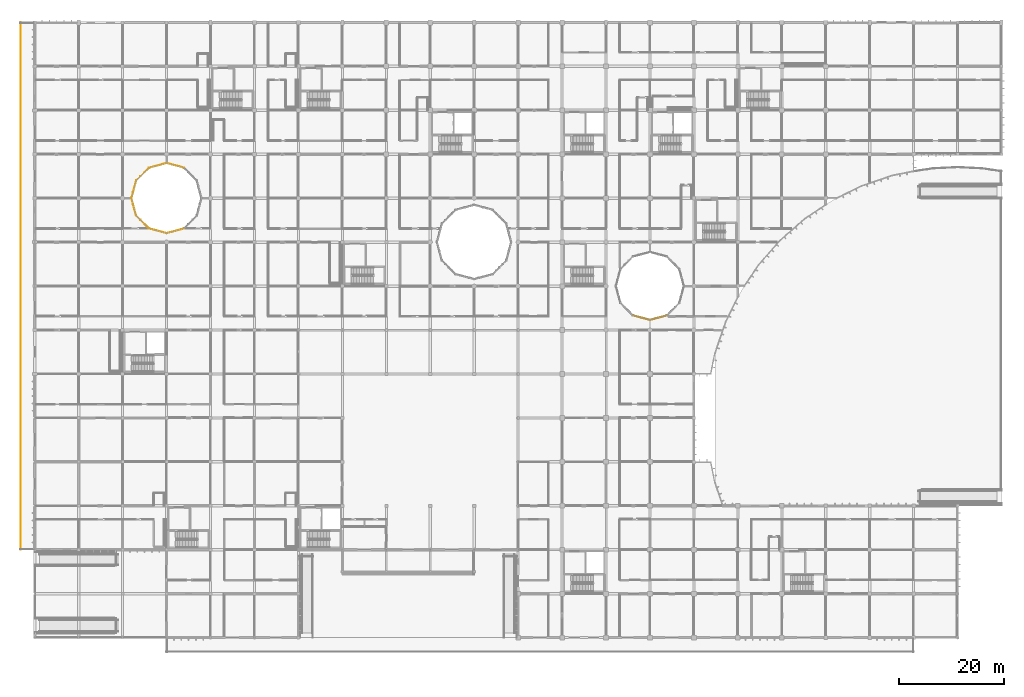
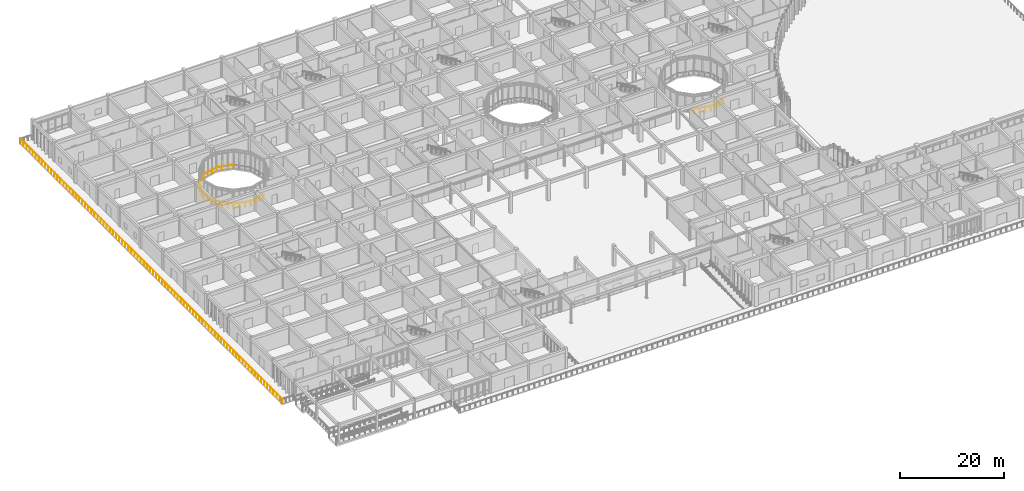
# One storey, part 122 of 138: 11 railings.
"""IFC4 building model written with IfcOpenShell, lengths in metres."""

from ifc_helpers import new_model, si_unit, direction, frame, origin, origin_2d, place, context, subcontext, project, spatial, circle, extrude, material, type_object, element, save


model = new_model("IFC4")

# Units and contexts
model_context = context("Model", 3, precision=1e-05, world=origin(), true_north=direction((0.0, 1.0)))
body_context = subcontext(model_context, "Body", "Model", "MODEL_VIEW")
ifc_project = project(units=[si_unit("LENGTHUNIT", "METRE"), si_unit("AREAUNIT", "SQUARE_METRE"), si_unit("VOLUMEUNIT", "CUBIC_METRE"), si_unit("PLANEANGLEUNIT", "RADIAN"), si_unit("MASSUNIT", "GRAM", prefix="KILO")], contexts=[model_context])

# Site, building, storey
site_placement = place(None, origin())
site = spatial("IfcSite", under=ifc_project, at=site_placement, CompositionType="ELEMENT")
building_placement = place(site_placement, origin())
building = spatial("IfcBuilding", under=site, at=building_placement, Name="Bramfleet General Hospital", CompositionType="ELEMENT")
storey_placement = place(building_placement, origin())
storey = spatial("IfcBuildingStorey", under=building, at=storey_placement, Name="L00", CompositionType="ELEMENT", Elevation=0.0)

# Railings
ifc_material = material(Name="Stainless steel 1.4401 safety balustrade", Category="steel")
railing_type = type_object("IfcRailingType", Name="RAIL-EXT-GUARD", PredefinedType="GUARDRAIL", material=ifc_material)
railing_1_placement = place(storey_placement, frame((18.506103515625, 83.964599609375, 0.0)))
element("IfcRailing", 1, at=railing_1_placement, inside=storey, type_object=railing_type, Name="L00 Safety Guard Rail 1", PredefinedType="GUARDRAIL", context=body_context, shape_type="SweptSolid", body=[
    extrude(circle(Radius=0.02392578125, at=origin_2d()), frame((0.0, 0.0, 1.076171875), z_axis=(0.258772014909, -0.965938426764, 0.0), x_axis=(0.965938426764, 0.258772014909, 0.0)), (0.0, 0.0, 1.0), 3.396484375),
    extrude(circle(Radius=0.02099609375, at=origin_2d()), origin(), (0.0, 0.0, 1.0), 1.052001953125),
    extrude(circle(Radius=0.02099609375, at=origin_2d()), frame((0.29296875, -1.093505859375, 0.0)), (0.0, 0.0, 1.0), 1.052001953125),
    extrude(circle(Radius=0.02099609375, at=origin_2d()), frame((0.5859375, -2.187255859375, 0.0)), (0.0, 0.0, 1.0), 1.052001953125),
    extrude(circle(Radius=0.02099609375, at=origin_2d()), frame((0.87890625, -3.28076171875, 0.0)), (0.0, 0.0, 1.0), 1.052001953125),
])
railing_2_placement = place(storey_placement, frame((19.420654296875, 80.622314453125, 0.0)))
element("IfcRailing", 2, at=railing_2_placement, inside=storey, type_object=railing_type, Name="L00 Safety Guard Rail 2", PredefinedType="GUARDRAIL", context=body_context, shape_type="SweptSolid", body=[
    extrude(circle(Radius=0.02392578125, at=origin_2d()), frame((0.0, 0.0, 1.076171875), z_axis=(0.707106781187, -0.707106781187, 0.0), x_axis=(0.707106781187, 0.707106781187, 0.0)), (0.0, 0.0, 1.0), 3.396484375),
    extrude(circle(Radius=0.02099609375, at=origin_2d()), origin(), (0.0, 0.0, 1.0), 1.052001953125),
    extrude(circle(Radius=0.02099609375, at=origin_2d()), frame((0.800537109375, -0.800537109375, 0.0)), (0.0, 0.0, 1.0), 1.052001953125),
    extrude(circle(Radius=0.02099609375, at=origin_2d()), frame((1.60107421875, -1.60107421875, 0.0)), (0.0, 0.0, 1.0), 1.052001953125),
    extrude(circle(Radius=0.02099609375, at=origin_2d()), frame((2.401611328125, -2.401611328125, 0.0)), (0.0, 0.0, 1.0), 1.052001953125),
])
railing_3_placement = place(storey_placement, frame((21.8837890625, 78.18505859375, 0.0)))
element("IfcRailing", 3, at=railing_3_placement, inside=storey, type_object=railing_type, Name="L00 Safety Guard Rail 3", PredefinedType="GUARDRAIL", context=body_context, shape_type="SweptSolid", body=[
    extrude(circle(Radius=0.02392578125, at=origin_2d()), frame((0.0, 0.0, 1.076171875), z_axis=(0.965920457522, -0.258839080781, 0.0), x_axis=(0.258839080781, 0.965920457522, 0.0)), (0.0, 0.0, 1.0), 3.396484375),
    extrude(circle(Radius=0.02099609375, at=origin_2d()), origin(), (0.0, 0.0, 1.0), 1.052001953125),
    extrude(circle(Radius=0.02099609375, at=origin_2d()), frame((1.093505859375, -0.29296875, 0.0)), (0.0, 0.0, 1.0), 1.052001953125),
    extrude(circle(Radius=0.02099609375, at=origin_2d()), frame((2.187255859375, -0.586181640625, 0.0)), (0.0, 0.0, 1.0), 1.052001953125),
    extrude(circle(Radius=0.02099609375, at=origin_2d()), frame((3.28076171875, -0.879150390625, 0.0)), (0.0, 0.0, 1.0), 1.052001953125),
])
railing_4_placement = place(storey_placement, frame((25.235595703125, 77.305908203125, 0.0)))
element("IfcRailing", 4, at=railing_4_placement, inside=storey, type_object=railing_type, Name="L00 Safety Guard Rail 4", PredefinedType="GUARDRAIL", context=body_context, shape_type="SweptSolid", body=[
    extrude(circle(Radius=0.02392578125, at=origin_2d()), frame((0.0, 0.0, 1.076171875), z_axis=(0.965915641243, 0.25885705322, 0.0), x_axis=(-0.25885705322, 0.965915641243, 0.0)), (0.0, 0.0, 1.0), 3.396240234375),
    extrude(circle(Radius=0.02099609375, at=origin_2d()), origin(), (0.0, 0.0, 1.0), 1.052001953125),
    extrude(circle(Radius=0.02099609375, at=origin_2d()), frame((1.093505859375, 0.29296875, 0.0)), (0.0, 0.0, 1.0), 1.052001953125),
    extrude(circle(Radius=0.02099609375, at=origin_2d()), frame((2.18701171875, 0.586181640625, 0.0)), (0.0, 0.0, 1.0), 1.052001953125),
    extrude(circle(Radius=0.02099609375, at=origin_2d()), frame((3.280517578125, 0.879150390625, 0.0)), (0.0, 0.0, 1.0), 1.052001953125),
])
railing_5_placement = place(storey_placement, frame((28.51611328125, 89.81494140625, 0.0)))
element("IfcRailing", 5, at=railing_5_placement, inside=storey, type_object=railing_type, Name="L00 Safety Guard Rail 9", PredefinedType="GUARDRAIL", context=body_context, shape_type="SweptSolid", body=[
    extrude(circle(Radius=0.02392578125, at=origin_2d()), frame((0.0, 0.0, 1.076171875), z_axis=(-0.965915641243, 0.25885705322, 0.0), x_axis=(-0.25885705322, -0.965915641243, 0.0)), (0.0, 0.0, 1.0), 3.396240234375),
    extrude(circle(Radius=0.02099609375, at=origin_2d()), origin(), (0.0, 0.0, 1.0), 1.052001953125),
    extrude(circle(Radius=0.02099609375, at=origin_2d()), frame((-1.093505859375, 0.29296875, 0.0)), (0.0, 0.0, 1.0), 1.052001953125),
    extrude(circle(Radius=0.02099609375, at=origin_2d()), frame((-2.18701171875, 0.586181640625, 0.0)), (0.0, 0.0, 1.0), 1.052001953125),
    extrude(circle(Radius=0.02099609375, at=origin_2d()), frame((-3.280517578125, 0.879150390625, 0.0)), (0.0, 0.0, 1.0), 1.052001953125),
])
railing_6_placement = place(storey_placement, frame((25.16455078125, 90.694091796875, 0.0)))
element("IfcRailing", 6, at=railing_6_placement, inside=storey, type_object=railing_type, Name="L00 Safety Guard Rail 10", PredefinedType="GUARDRAIL", context=body_context, shape_type="SweptSolid", body=[
    extrude(circle(Radius=0.02392578125, at=origin_2d()), frame((0.0, 0.0, 1.076171875), z_axis=(-0.965920457522, -0.258839080781, 0.0), x_axis=(0.258839080781, -0.965920457522, 0.0)), (0.0, 0.0, 1.0), 3.396484375),
    extrude(circle(Radius=0.02099609375, at=origin_2d()), origin(), (0.0, 0.0, 1.0), 1.052001953125),
    extrude(circle(Radius=0.02099609375, at=origin_2d()), frame((-1.093505859375, -0.29296875, 0.0)), (0.0, 0.0, 1.0), 1.052001953125),
    extrude(circle(Radius=0.02099609375, at=origin_2d()), frame((-2.187255859375, -0.586181640625, 0.0)), (0.0, 0.0, 1.0), 1.052001953125),
    extrude(circle(Radius=0.02099609375, at=origin_2d()), frame((-3.28076171875, -0.879150390625, 0.0)), (0.0, 0.0, 1.0), 1.052001953125),
])
railing_7_placement = place(storey_placement, frame((21.822265625, 89.779296875, 0.0)))
element("IfcRailing", 7, at=railing_7_placement, inside=storey, type_object=railing_type, Name="L00 Safety Guard Rail 11", PredefinedType="GUARDRAIL", context=body_context, shape_type="SweptSolid", body=[
    extrude(circle(Radius=0.02392578125, at=origin_2d()), frame((0.0, 0.0, 1.076171875), z_axis=(-0.707106781187, -0.707106781187, 0.0), x_axis=(0.707106781187, -0.707106781187, 0.0)), (0.0, 0.0, 1.0), 3.396484375),
    extrude(circle(Radius=0.02099609375, at=origin_2d()), origin(), (0.0, 0.0, 1.0), 1.052001953125),
    extrude(circle(Radius=0.02099609375, at=origin_2d()), frame((-0.800537109375, -0.800537109375, 0.0)), (0.0, 0.0, 1.0), 1.052001953125),
    extrude(circle(Radius=0.02099609375, at=origin_2d()), frame((-1.60107421875, -1.60107421875, 0.0)), (0.0, 0.0, 1.0), 1.052001953125),
    extrude(circle(Radius=0.02099609375, at=origin_2d()), frame((-2.401611328125, -2.401611328125, 0.0)), (0.0, 0.0, 1.0), 1.052001953125),
])
railing_8_placement = place(storey_placement, frame((19.385009765625, 87.316162109375, 0.0)))
element("IfcRailing", 8, at=railing_8_placement, inside=storey, type_object=railing_type, Name="L00 Safety Guard Rail 12", PredefinedType="GUARDRAIL", context=body_context, shape_type="SweptSolid", body=[
    extrude(circle(Radius=0.02392578125, at=origin_2d()), frame((0.0, 0.0, 1.076171875), z_axis=(-0.258772014909, -0.965938426764, 0.0), x_axis=(0.965938426764, -0.258772014909, 0.0)), (0.0, 0.0, 1.0), 3.396484375),
    extrude(circle(Radius=0.02099609375, at=origin_2d()), origin(), (0.0, 0.0, 1.0), 1.052001953125),
    extrude(circle(Radius=0.02099609375, at=origin_2d()), frame((-0.29296875, -1.093505859375, 0.0)), (0.0, 0.0, 1.0), 1.052001953125),
    extrude(circle(Radius=0.02099609375, at=origin_2d()), frame((-0.5859375, -2.187255859375, 0.0)), (0.0, 0.0, 1.0), 1.052001953125),
    extrude(circle(Radius=0.02099609375, at=origin_2d()), frame((-0.87890625, -3.28076171875, 0.0)), (0.0, 0.0, 1.0), 1.052001953125),
])
railing_9_placement = place(storey_placement, frame((114.3837890625, 61.55810546875, 0.0)))
element("IfcRailing", 9, at=railing_9_placement, inside=storey, type_object=railing_type, Name="L00 Safety Guard Rail 27", PredefinedType="GUARDRAIL", context=body_context, shape_type="SweptSolid", body=[
    extrude(circle(Radius=0.02392578125, at=origin_2d()), frame((0.0, 0.0, 1.076171875), z_axis=(0.965941433202, -0.258760792284, 0.0), x_axis=(0.258760792284, 0.965941433202, 0.0)), (0.0, 0.0, 1.0), 3.292724609375),
    extrude(circle(Radius=0.02099609375, at=origin_2d()), origin(), (0.0, 0.0, 1.0), 1.052001953125),
    extrude(circle(Radius=0.02099609375, at=origin_2d()), frame((1.060302734375, -0.283935546875, 0.0)), (0.0, 0.0, 1.0), 1.052001953125),
    extrude(circle(Radius=0.02099609375, at=origin_2d()), frame((2.120361328125, -0.568115234375, 0.0)), (0.0, 0.0, 1.0), 1.052001953125),
    extrude(circle(Radius=0.02099609375, at=origin_2d()), frame((3.1806640625, -0.85205078125, 0.0)), (0.0, 0.0, 1.0), 1.052001953125),
])
railing_10_placement = place(storey_placement, frame((117.635498046875, 60.7060546875, 0.0)))
element("IfcRailing", 10, at=railing_10_placement, inside=storey, type_object=railing_type, Name="L00 Safety Guard Rail 28", PredefinedType="GUARDRAIL", context=body_context, shape_type="SweptSolid", body=[
    extrude(circle(Radius=0.02392578125, at=origin_2d()), frame((0.0, 0.0, 1.076171875), z_axis=(0.965941433202, 0.258760792284, 0.0), x_axis=(-0.258760792284, 0.965941433202, 0.0)), (0.0, 0.0, 1.0), 3.292724609375),
    extrude(circle(Radius=0.02099609375, at=origin_2d()), origin(), (0.0, 0.0, 1.0), 1.052001953125),
    extrude(circle(Radius=0.02099609375, at=origin_2d()), frame((1.060302734375, 0.283935546875, 0.0)), (0.0, 0.0, 1.0), 1.052001953125),
    extrude(circle(Radius=0.02099609375, at=origin_2d()), frame((2.120361328125, 0.568115234375, 0.0)), (0.0, 0.0, 1.0), 1.052001953125),
    extrude(circle(Radius=0.02099609375, at=origin_2d()), frame((3.1806640625, 0.85205078125, 0.0)), (0.0, 0.0, 1.0), 1.052001953125),
])
railing_11_placement = place(storey_placement, frame((-2.699951171875, 16.800048828125, 0.0)))
element("IfcRailing", 11, at=railing_11_placement, inside=storey, type_object=railing_type, Name="L00 Flood-Plinth Guard 230", PredefinedType="GUARDRAIL", context=body_context, shape_type="SweptSolid", body=[
    extrude(circle(Radius=0.02392578125, at=origin_2d()), frame((0.0, 0.0, 1.076171875), z_axis=(0.0, 1.0, 0.0), x_axis=(-1.0, 0.0, 0.0)), (0.0, 0.0, 1.0), 100.800048828125),
    extrude(circle(Radius=0.02099609375, at=origin_2d()), origin(), (0.0, 0.0, 1.0), 1.052001953125),
    extrude(circle(Radius=0.02099609375, at=origin_2d()), frame((0.0, 1.185791015625, 0.0)), (0.0, 0.0, 1.0), 1.052001953125),
    extrude(circle(Radius=0.02099609375, at=origin_2d()), frame((0.0, 2.371826171875, 0.0)), (0.0, 0.0, 1.0), 1.052001953125),
    extrude(circle(Radius=0.02099609375, at=origin_2d()), frame((0.0, 3.5576171875, 0.0)), (0.0, 0.0, 1.0), 1.052001953125),
    extrude(circle(Radius=0.02099609375, at=origin_2d()), frame((0.0, 4.74365234375, 0.0)), (0.0, 0.0, 1.0), 1.052001953125),
    extrude(circle(Radius=0.02099609375, at=origin_2d()), frame((0.0, 5.929443359375, 0.0)), (0.0, 0.0, 1.0), 1.052001953125),
    extrude(circle(Radius=0.02099609375, at=origin_2d()), frame((0.0, 7.115234375, 0.0)), (0.0, 0.0, 1.0), 1.052001953125),
    extrude(circle(Radius=0.02099609375, at=origin_2d()), frame((0.0, 8.30126953125, 0.0)), (0.0, 0.0, 1.0), 1.052001953125),
    extrude(circle(Radius=0.02099609375, at=origin_2d()), frame((0.0, 9.487060546875, 0.0)), (0.0, 0.0, 1.0), 1.052001953125),
    extrude(circle(Radius=0.02099609375, at=origin_2d()), frame((0.0, 10.6728515625, 0.0)), (0.0, 0.0, 1.0), 1.052001953125),
    extrude(circle(Radius=0.02099609375, at=origin_2d()), frame((0.0, 11.85888671875, 0.0)), (0.0, 0.0, 1.0), 1.052001953125),
    extrude(circle(Radius=0.02099609375, at=origin_2d()), frame((0.0, 13.044677734375, 0.0)), (0.0, 0.0, 1.0), 1.052001953125),
    extrude(circle(Radius=0.02099609375, at=origin_2d()), frame((0.0, 14.230712890625, 0.0)), (0.0, 0.0, 1.0), 1.052001953125),
    extrude(circle(Radius=0.02099609375, at=origin_2d()), frame((0.0, 15.41650390625, 0.0)), (0.0, 0.0, 1.0), 1.052001953125),
    extrude(circle(Radius=0.02099609375, at=origin_2d()), frame((0.0, 16.602294921875, 0.0)), (0.0, 0.0, 1.0), 1.052001953125),
    extrude(circle(Radius=0.02099609375, at=origin_2d()), frame((0.0, 17.788330078125, 0.0)), (0.0, 0.0, 1.0), 1.052001953125),
    extrude(circle(Radius=0.02099609375, at=origin_2d()), frame((0.0, 18.97412109375, 0.0)), (0.0, 0.0, 1.0), 1.052001953125),
    extrude(circle(Radius=0.02099609375, at=origin_2d()), frame((0.0, 20.159912109375, 0.0)), (0.0, 0.0, 1.0), 1.052001953125),
    extrude(circle(Radius=0.02099609375, at=origin_2d()), frame((0.0, 21.345947265625, 0.0)), (0.0, 0.0, 1.0), 1.052001953125),
    extrude(circle(Radius=0.02099609375, at=origin_2d()), frame((0.0, 22.53173828125, 0.0)), (0.0, 0.0, 1.0), 1.052001953125),
    extrude(circle(Radius=0.02099609375, at=origin_2d()), frame((0.0, 23.7177734375, 0.0)), (0.0, 0.0, 1.0), 1.052001953125),
    extrude(circle(Radius=0.02099609375, at=origin_2d()), frame((0.0, 24.903564453125, 0.0)), (0.0, 0.0, 1.0), 1.052001953125),
    extrude(circle(Radius=0.02099609375, at=origin_2d()), frame((0.0, 26.08935546875, 0.0)), (0.0, 0.0, 1.0), 1.052001953125),
    extrude(circle(Radius=0.02099609375, at=origin_2d()), frame((0.0, 27.275390625, 0.0)), (0.0, 0.0, 1.0), 1.052001953125),
    extrude(circle(Radius=0.02099609375, at=origin_2d()), frame((0.0, 28.461181640625, 0.0)), (0.0, 0.0, 1.0), 1.052001953125),
    extrude(circle(Radius=0.02099609375, at=origin_2d()), frame((0.0, 29.64697265625, 0.0)), (0.0, 0.0, 1.0), 1.052001953125),
    extrude(circle(Radius=0.02099609375, at=origin_2d()), frame((0.0, 30.8330078125, 0.0)), (0.0, 0.0, 1.0), 1.052001953125),
    extrude(circle(Radius=0.02099609375, at=origin_2d()), frame((0.0, 32.018798828125, 0.0)), (0.0, 0.0, 1.0), 1.052001953125),
    extrude(circle(Radius=0.02099609375, at=origin_2d()), frame((0.0, 33.204833984375, 0.0)), (0.0, 0.0, 1.0), 1.052001953125),
    extrude(circle(Radius=0.02099609375, at=origin_2d()), frame((0.0, 34.390625, 0.0)), (0.0, 0.0, 1.0), 1.052001953125),
    extrude(circle(Radius=0.02099609375, at=origin_2d()), frame((0.0, 35.576416015625, 0.0)), (0.0, 0.0, 1.0), 1.052001953125),
    extrude(circle(Radius=0.02099609375, at=origin_2d()), frame((0.0, 36.762451171875, 0.0)), (0.0, 0.0, 1.0), 1.052001953125),
    extrude(circle(Radius=0.02099609375, at=origin_2d()), frame((0.0, 37.9482421875, 0.0)), (0.0, 0.0, 1.0), 1.052001953125),
    extrude(circle(Radius=0.02099609375, at=origin_2d()), frame((0.0, 39.134033203125, 0.0)), (0.0, 0.0, 1.0), 1.052001953125),
    extrude(circle(Radius=0.02099609375, at=origin_2d()), frame((0.0, 40.320068359375, 0.0)), (0.0, 0.0, 1.0), 1.052001953125),
    extrude(circle(Radius=0.02099609375, at=origin_2d()), frame((0.0, 41.505859375, 0.0)), (0.0, 0.0, 1.0), 1.052001953125),
    extrude(circle(Radius=0.02099609375, at=origin_2d()), frame((0.0, 42.69189453125, 0.0)), (0.0, 0.0, 1.0), 1.052001953125),
    extrude(circle(Radius=0.02099609375, at=origin_2d()), frame((0.0, 43.877685546875, 0.0)), (0.0, 0.0, 1.0), 1.052001953125),
    extrude(circle(Radius=0.02099609375, at=origin_2d()), frame((0.0, 45.0634765625, 0.0)), (0.0, 0.0, 1.0), 1.052001953125),
    extrude(circle(Radius=0.02099609375, at=origin_2d()), frame((0.0, 46.24951171875, 0.0)), (0.0, 0.0, 1.0), 1.052001953125),
    extrude(circle(Radius=0.02099609375, at=origin_2d()), frame((0.0, 47.435302734375, 0.0)), (0.0, 0.0, 1.0), 1.052001953125),
    extrude(circle(Radius=0.02099609375, at=origin_2d()), frame((0.0, 48.62109375, 0.0)), (0.0, 0.0, 1.0), 1.052001953125),
    extrude(circle(Radius=0.02099609375, at=origin_2d()), frame((0.0, 49.80712890625, 0.0)), (0.0, 0.0, 1.0), 1.052001953125),
    extrude(circle(Radius=0.02099609375, at=origin_2d()), frame((0.0, 50.992919921875, 0.0)), (0.0, 0.0, 1.0), 1.052001953125),
    extrude(circle(Radius=0.02099609375, at=origin_2d()), frame((0.0, 52.178955078125, 0.0)), (0.0, 0.0, 1.0), 1.052001953125),
    extrude(circle(Radius=0.02099609375, at=origin_2d()), frame((0.0, 53.36474609375, 0.0)), (0.0, 0.0, 1.0), 1.052001953125),
    extrude(circle(Radius=0.02099609375, at=origin_2d()), frame((0.0, 54.550537109375, 0.0)), (0.0, 0.0, 1.0), 1.052001953125),
    extrude(circle(Radius=0.02099609375, at=origin_2d()), frame((0.0, 55.736572265625, 0.0)), (0.0, 0.0, 1.0), 1.052001953125),
    extrude(circle(Radius=0.02099609375, at=origin_2d()), frame((0.0, 56.92236328125, 0.0)), (0.0, 0.0, 1.0), 1.052001953125),
    extrude(circle(Radius=0.02099609375, at=origin_2d()), frame((0.0, 58.108154296875, 0.0)), (0.0, 0.0, 1.0), 1.052001953125),
    extrude(circle(Radius=0.02099609375, at=origin_2d()), frame((0.0, 59.294189453125, 0.0)), (0.0, 0.0, 1.0), 1.052001953125),
    extrude(circle(Radius=0.02099609375, at=origin_2d()), frame((0.0, 60.47998046875, 0.0)), (0.0, 0.0, 1.0), 1.052001953125),
    extrude(circle(Radius=0.02099609375, at=origin_2d()), frame((0.0, 61.666015625, 0.0)), (0.0, 0.0, 1.0), 1.052001953125),
    extrude(circle(Radius=0.02099609375, at=origin_2d()), frame((0.0, 62.851806640625, 0.0)), (0.0, 0.0, 1.0), 1.052001953125),
    extrude(circle(Radius=0.02099609375, at=origin_2d()), frame((0.0, 64.03759765625, 0.0)), (0.0, 0.0, 1.0), 1.052001953125),
    extrude(circle(Radius=0.02099609375, at=origin_2d()), frame((0.0, 65.2236328125, 0.0)), (0.0, 0.0, 1.0), 1.052001953125),
    extrude(circle(Radius=0.02099609375, at=origin_2d()), frame((0.0, 66.409423828125, 0.0)), (0.0, 0.0, 1.0), 1.052001953125),
    extrude(circle(Radius=0.02099609375, at=origin_2d()), frame((0.0, 67.59521484375, 0.0)), (0.0, 0.0, 1.0), 1.052001953125),
    extrude(circle(Radius=0.02099609375, at=origin_2d()), frame((0.0, 68.78125, 0.0)), (0.0, 0.0, 1.0), 1.052001953125),
    extrude(circle(Radius=0.02099609375, at=origin_2d()), frame((0.0, 69.967041015625, 0.0)), (0.0, 0.0, 1.0), 1.052001953125),
    extrude(circle(Radius=0.02099609375, at=origin_2d()), frame((0.0, 71.153076171875, 0.0)), (0.0, 0.0, 1.0), 1.052001953125),
    extrude(circle(Radius=0.02099609375, at=origin_2d()), frame((0.0, 72.3388671875, 0.0)), (0.0, 0.0, 1.0), 1.052001953125),
    extrude(circle(Radius=0.02099609375, at=origin_2d()), frame((0.0, 73.524658203125, 0.0)), (0.0, 0.0, 1.0), 1.052001953125),
    extrude(circle(Radius=0.02099609375, at=origin_2d()), frame((0.0, 74.710693359375, 0.0)), (0.0, 0.0, 1.0), 1.052001953125),
    extrude(circle(Radius=0.02099609375, at=origin_2d()), frame((0.0, 75.896484375, 0.0)), (0.0, 0.0, 1.0), 1.052001953125),
    extrude(circle(Radius=0.02099609375, at=origin_2d()), frame((0.0, 77.082275390625, 0.0)), (0.0, 0.0, 1.0), 1.052001953125),
    extrude(circle(Radius=0.02099609375, at=origin_2d()), frame((0.0, 78.268310546875, 0.0)), (0.0, 0.0, 1.0), 1.052001953125),
    extrude(circle(Radius=0.02099609375, at=origin_2d()), frame((0.0, 79.4541015625, 0.0)), (0.0, 0.0, 1.0), 1.052001953125),
    extrude(circle(Radius=0.02099609375, at=origin_2d()), frame((0.0, 80.64013671875, 0.0)), (0.0, 0.0, 1.0), 1.052001953125),
    extrude(circle(Radius=0.02099609375, at=origin_2d()), frame((0.0, 81.825927734375, 0.0)), (0.0, 0.0, 1.0), 1.052001953125),
    extrude(circle(Radius=0.02099609375, at=origin_2d()), frame((0.0, 83.01171875, 0.0)), (0.0, 0.0, 1.0), 1.052001953125),
    extrude(circle(Radius=0.02099609375, at=origin_2d()), frame((0.0, 84.19775390625, 0.0)), (0.0, 0.0, 1.0), 1.052001953125),
    extrude(circle(Radius=0.02099609375, at=origin_2d()), frame((0.0, 85.383544921875, 0.0)), (0.0, 0.0, 1.0), 1.052001953125),
    extrude(circle(Radius=0.02099609375, at=origin_2d()), frame((0.0, 86.5693359375, 0.0)), (0.0, 0.0, 1.0), 1.052001953125),
    extrude(circle(Radius=0.02099609375, at=origin_2d()), frame((0.0, 87.75537109375, 0.0)), (0.0, 0.0, 1.0), 1.052001953125),
    extrude(circle(Radius=0.02099609375, at=origin_2d()), frame((0.0, 88.941162109375, 0.0)), (0.0, 0.0, 1.0), 1.052001953125),
    extrude(circle(Radius=0.02099609375, at=origin_2d()), frame((0.0, 90.127197265625, 0.0)), (0.0, 0.0, 1.0), 1.052001953125),
    extrude(circle(Radius=0.02099609375, at=origin_2d()), frame((0.0, 91.31298828125, 0.0)), (0.0, 0.0, 1.0), 1.052001953125),
    extrude(circle(Radius=0.02099609375, at=origin_2d()), frame((0.0, 92.498779296875, 0.0)), (0.0, 0.0, 1.0), 1.052001953125),
    extrude(circle(Radius=0.02099609375, at=origin_2d()), frame((0.0, 93.684814453125, 0.0)), (0.0, 0.0, 1.0), 1.052001953125),
    extrude(circle(Radius=0.02099609375, at=origin_2d()), frame((0.0, 94.87060546875, 0.0)), (0.0, 0.0, 1.0), 1.052001953125),
    extrude(circle(Radius=0.02099609375, at=origin_2d()), frame((0.0, 96.056396484375, 0.0)), (0.0, 0.0, 1.0), 1.052001953125),
    extrude(circle(Radius=0.02099609375, at=origin_2d()), frame((0.0, 97.242431640625, 0.0)), (0.0, 0.0, 1.0), 1.052001953125),
    extrude(circle(Radius=0.02099609375, at=origin_2d()), frame((0.0, 98.42822265625, 0.0)), (0.0, 0.0, 1.0), 1.052001953125),
    extrude(circle(Radius=0.02099609375, at=origin_2d()), frame((0.0, 99.6142578125, 0.0)), (0.0, 0.0, 1.0), 1.052001953125),
    extrude(circle(Radius=0.02099609375, at=origin_2d()), frame((0.0, 100.800048828125, 0.0)), (0.0, 0.0, 1.0), 1.052001953125),
])

save(model, "model.ifc")
